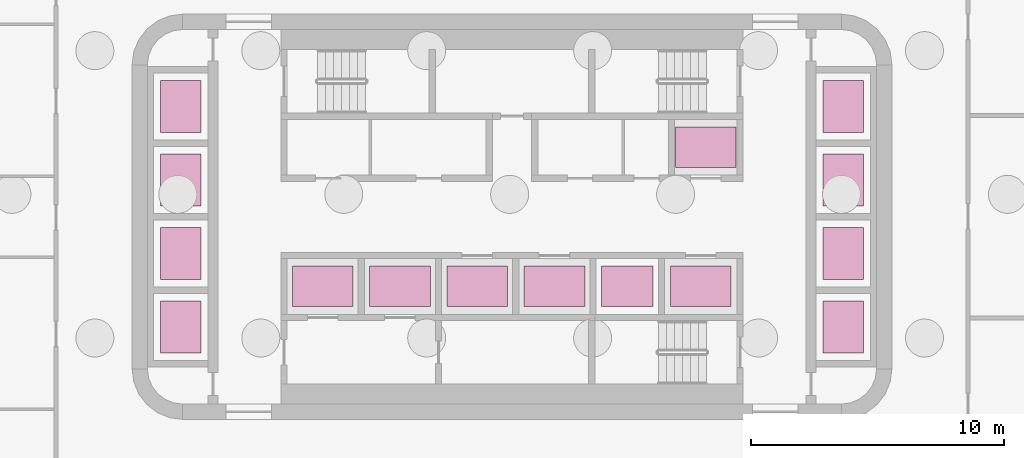
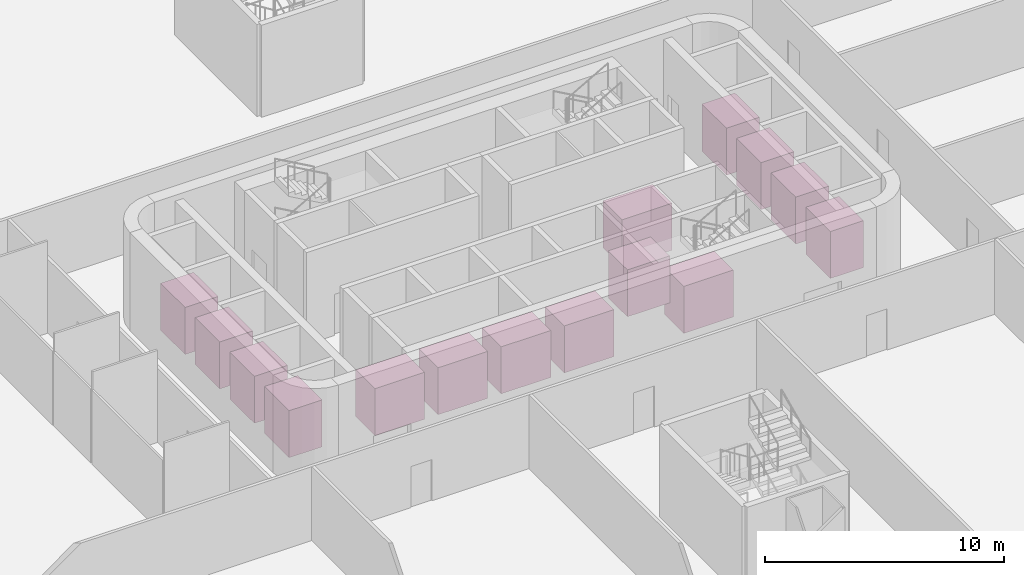
# One storey, part 19 of 19: 15 transport elements.
"""IFC4 building model written with IfcOpenShell, lengths in metres."""

from ifc_helpers import new_model, si_unit, direction, frame, origin, origin_2d, place, context, subcontext, project, spatial, rectangle, extrude, material, type_object, element, save


model = new_model("IFC4")

# Units and contexts
model_context = context("Model", 3, precision=1e-05, world=origin(), true_north=direction((0.0, 1.0)))
body_context = subcontext(model_context, "Body", "Model", "MODEL_VIEW")
ifc_project = project(units=[si_unit("LENGTHUNIT", "METRE"), si_unit("AREAUNIT", "SQUARE_METRE"), si_unit("VOLUMEUNIT", "CUBIC_METRE"), si_unit("PLANEANGLEUNIT", "RADIAN"), si_unit("MASSUNIT", "GRAM", prefix="KILO")], contexts=[model_context])

# Site, building, storey
site_placement = place(None, origin())
site = spatial("IfcSite", under=ifc_project, at=site_placement, CompositionType="ELEMENT")
building_placement = place(site_placement, origin())
building = spatial("IfcBuilding", under=site, at=building_placement, Name="Sahrelin Media Tower", CompositionType="ELEMENT")
storey_placement = place(building_placement, frame((0.0, 0.0, -5.0)))
storey = spatial("IfcBuildingStorey", under=building, at=storey_placement, Name="B1", CompositionType="ELEMENT", Elevation=-5.0)

# Transport elements
ifc_material = material(Name="Stainless steel car", Category="steel")
transport_element_type_1 = type_object("IfcTransportElementType", Name="Lift car 2050 x 1600 1600 kg", PredefinedType="ELEVATOR", material=ifc_material)
for number, where, z_axis, x_axis, name in (
    (1, (-13.074951171875, 4.35009765625, 0.0), (0.0, 0.0, 1.0), (1.0, 0.0, 0.0), "Lift LR1"),
    (2, (-13.074951171875, 1.449951171875, 0.0), (0.0, 0.0, 1.0), (1.0, 0.0, 0.0), "Lift LR2"),
    (3, (-13.074951171875, -1.449951171875, 0.0), (0.0, 0.0, 1.0), (1.0, 0.0, 0.0), "Lift LR3"),
    (4, (-13.074951171875, -4.35009765625, 0.0), (0.0, 0.0, 1.0), (1.0, 0.0, 0.0), "Lift SH1"),
    (5, (13.074951171875, 4.35009765625, 0.0), (0.0, 0.0, 1.0), (1.0, 0.0, 0.0), "Lift LR4"),
    (6, (13.074951171875, 1.449951171875, 0.0), (0.0, 0.0, 1.0), (1.0, 0.0, 0.0), "Lift LR5"),
    (7, (13.074951171875, -1.449951171875, 0.0), (0.0, 0.0, 1.0), (1.0, 0.0, 0.0), "Lift LR6"),
    (8, (13.074951171875, -4.35009765625, 0.0), (0.0, 0.0, 1.0), (1.0, 0.0, 0.0), "Lift SH2"),
):
    element("IfcTransportElement", number, at=place(storey_placement, frame(where, z_axis=z_axis, x_axis=x_axis)), inside=storey, type_object=transport_element_type_1, Name=name, PredefinedType="ELEVATOR", context=body_context, shape_type="SweptSolid", body=[
        extrude(rectangle(XDim=1.60009765625, YDim=2.050048828125, at=origin_2d()), origin(), (0.0, 0.0, 1.0), 2.39990234375),
    ])
transport_element_placement = place(storey_placement, frame((4.550048828125, -2.75, 0.0), z_axis=(0.0, 0.0, 1.0), x_axis=(1.0, 0.0, 0.0)))
element("IfcTransportElement", 9, at=transport_element_placement, inside=storey, type_object=transport_element_type_1, Name="Lift OB1", PredefinedType="ELEVATOR", context=body_context, shape_type="SweptSolid", body=[
    extrude(rectangle(XDim=2.050048828125, YDim=1.60009765625, at=origin_2d()), origin(), (0.0, 0.0, 1.0), 2.39990234375),
])
transport_element_type_2 = type_object("IfcTransportElementType", Name="Lift car 2400 x 1600 2000 kg", PredefinedType="ELEVATOR", material=ifc_material)
for number, where, z_axis, x_axis, name in (
    (10, (7.64990234375, 2.75, -1.800048828125), (0.0, 0.0, 1.0), (1.0, 0.0, 0.0), "Lift PR2"),
    (11, (-7.47509765625, -2.75, -1.800048828125), (0.0, 0.0, 1.0), (1.0, 0.0, 0.0), "Lift FF1"),
    (12, (-4.425048828125, -2.75, -1.800048828125), (0.0, 0.0, 1.0), (1.0, 0.0, 0.0), "Lift FF2"),
    (13, (-1.375, -2.75, -1.800048828125), (0.0, 0.0, 1.0), (1.0, 0.0, 0.0), "Lift SV1"),
    (14, (1.675048828125, -2.75, -1.800048828125), (0.0, 0.0, 1.0), (1.0, 0.0, 0.0), "Lift SV2"),
    (15, (7.449951171875, -2.75, -1.800048828125), (0.0, 0.0, 1.0), (1.0, 0.0, 0.0), "Lift PR1"),
):
    element("IfcTransportElement", number, at=place(storey_placement, frame(where, z_axis=z_axis, x_axis=x_axis)), inside=storey, type_object=transport_element_type_2, Name=name, PredefinedType="ELEVATOR", context=body_context, shape_type="SweptSolid", body=[
        extrude(rectangle(XDim=2.39990234375, YDim=1.60009765625, at=origin_2d()), origin(), (0.0, 0.0, 1.0), 2.39990234375),
    ])

save(model, "model.ifc")
